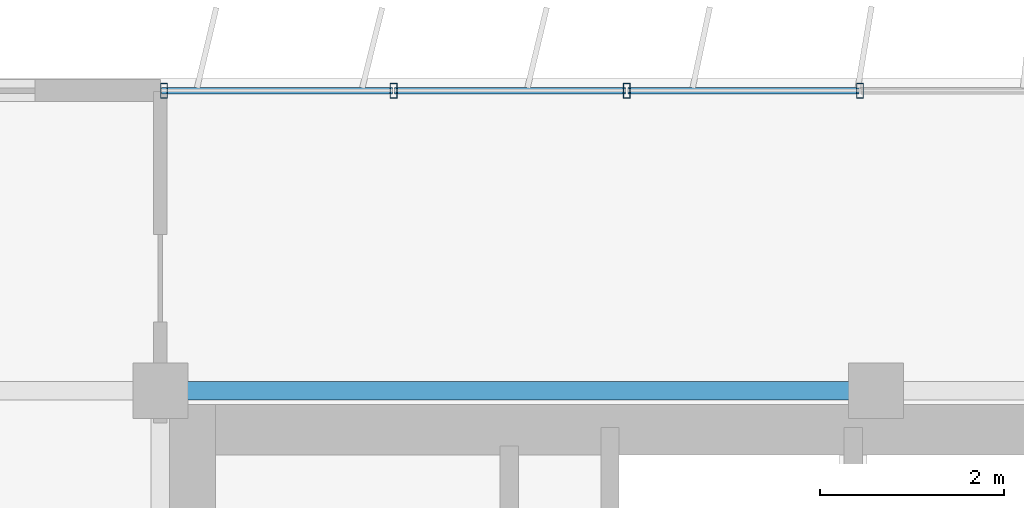
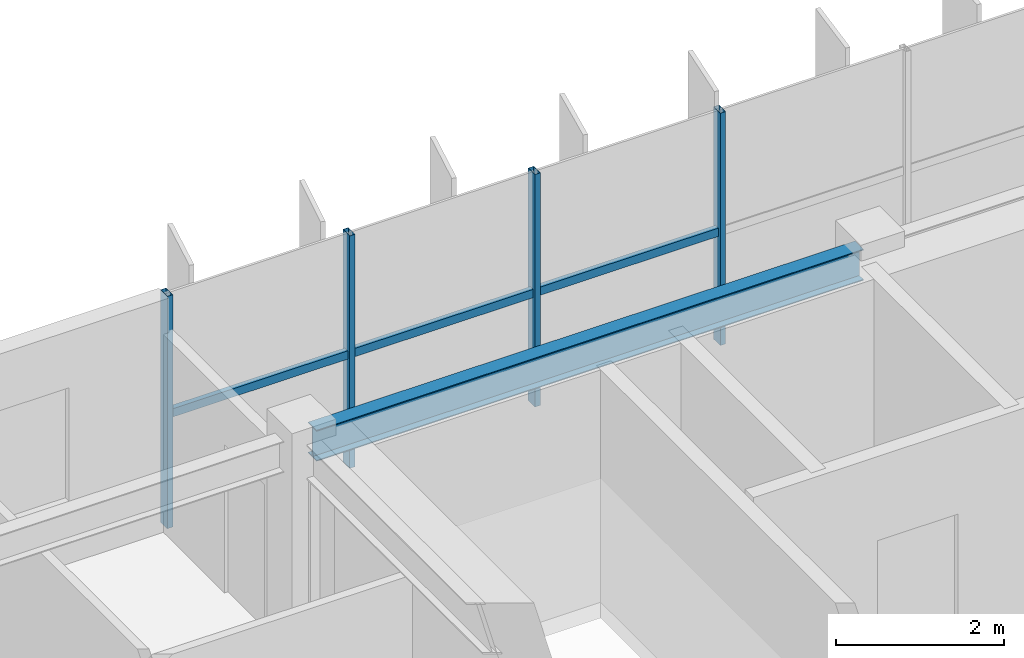
# One storey, part 6 of 23: 7 members, 1 beam, 1 element without a shape of its own.
"""IFC4 building model written with IfcOpenShell, lengths in metres."""

from ifc_helpers import new_model, si_unit, direction, frame, origin, origin_2d, place, context, subcontext, project, spatial, hollow_rectangle, i_section, extrude, source, transform, mapped, material, material_profile, profile_set, type_object, element, aggregate, save


model = new_model("IFC4")

# Units and contexts
model_context = context("Model", 3, precision=1e-05, world=origin(), true_north=direction((0.0, 1.0)))
body_context = subcontext(model_context, "Body", "Model", "MODEL_VIEW")
ifc_project = project(units=[si_unit("LENGTHUNIT", "METRE"), si_unit("AREAUNIT", "SQUARE_METRE"), si_unit("VOLUMEUNIT", "CUBIC_METRE"), si_unit("PLANEANGLEUNIT", "RADIAN"), si_unit("MASSUNIT", "GRAM", prefix="KILO")], contexts=[model_context])

# Site, building, storey
site_placement = place(None, origin())
site = spatial("IfcSite", under=ifc_project, at=site_placement, CompositionType="ELEMENT")
building_placement = place(site_placement, origin())
building = spatial("IfcBuilding", under=site, at=building_placement, Name="Trelvane Seafront Commons", CompositionType="ELEMENT")
storey_placement = place(building_placement, frame((0.0, 0.0, 263.10009765625)))
storey = spatial("IfcBuildingStorey", under=building, at=storey_placement, Name="L68", CompositionType="ELEMENT", Elevation=263.10009765625)

# Beam
ifc_material_1 = material(Name="Steel SM355 (S355)", Category="steel")
ifc_material_profile_1 = material_profile(ifc_material_1, i_section(OverallWidth=0.199951171875, OverallDepth=0.449951171875, WebThickness=0.009033203125, FlangeThickness=0.013916015625, at=origin_2d()), Name="H-450x200x9x14")
ifc_profile_set_1 = profile_set([ifc_material_profile_1], Name="Steel SM355 (S355)")
beam_type = type_object("IfcBeamType", Name="STR-SPD-H450", PredefinedType="SPANDREL", material=ifc_profile_set_1)
shared_shape_1 = source(origin(), body_context, "Body", "SweptSolid", [
    extrude(i_section(OverallWidth=0.199951171875, OverallDepth=0.449951171875, WebThickness=0.009033203125, FlangeThickness=0.013916015625, at=origin_2d()), origin(), (0.0, 0.0, 1.0), 7.5),
])
beam_placement = place(storey_placement, frame((15.75, 45.10009765625, 3.14501953125), z_axis=(1.0, 0.0, 0.0), x_axis=(0.0, 1.0, 0.0)))
element("IfcBeam", 1, at=beam_placement, inside=storey, type_object=beam_type, Name="L68 Primary Girder G-23", PredefinedType="SPANDREL", context=body_context, shape_type="MappedRepresentation", body=[
    mapped(shared_shape_1, transform((0.0, 0.0, 0.0), x_axis=(1.0, 0.0, 0.0), y_axis=(0.0, 1.0, 0.0), z_axis=(0.0, 0.0, 1.0), scale=1.0)),
])

# Curtain wall, members
ifc_material_2 = material(Name="Anodised pale-silver aluminium", Category="aluminium")
curtain_wall_type = type_object("IfcCurtainWallType", Name="ARCH-CW5-UPTOWER", PredefinedType="NOTDEFINED", material=ifc_material_2)
curtain_wall_placement = place(storey_placement, origin())
curtain_wall = element("IfcCurtainWall", 2, at=curtain_wall_placement, inside=storey, type_object=curtain_wall_type, Name="CW-L68-0112", PredefinedType="NOTDEFINED")
ifc_material_profile_2 = material_profile(ifc_material_2, hollow_rectangle(XDim=0.070068359375, YDim=0.1201171875, WallThickness=0.00390625, at=origin_2d()), Name="TRAN-70x120x4")
ifc_profile_set_2 = profile_set([ifc_material_profile_2], Name="Anodised pale-silver aluminium")
member_type_1 = type_object("IfcMemberType", Name="ARCH-CW-TRAN-120", PredefinedType="USERDEFINED", material=ifc_profile_set_2)
shared_shape_2 = source(origin(), body_context, "Body", "SweptSolid", [
    extrude(hollow_rectangle(XDim=0.070068359375, YDim=0.1201171875, WallThickness=0.00390625, at=origin_2d()), origin(), (0.0, 0.0, 1.0), 2.51708984375),
])
member_1_placement = place(storey_placement, frame((15.612060546875, 48.3701171875, 1.617919921875), z_axis=(1.0, 0.0, 0.0), x_axis=(0.0, 1.0, 0.0)))
member_1 = element("IfcMember", 3, at=member_1_placement, type_object=member_type_1, Name="CW-L68-0112-T00", ObjectType="TRANSOM", PredefinedType="USERDEFINED", context=body_context, shape_type="MappedRepresentation", body=[
    mapped(shared_shape_2, transform((0.0, 0.0, 0.0), x_axis=(1.0, 0.0, 0.0), y_axis=(0.0, 1.0, 0.0), z_axis=(0.0, 0.0, 1.0), scale=1.0)),
])
member_2_placement = place(storey_placement, frame((18.1533203125, 48.3701171875, 1.617919921875), z_axis=(1.0, 0.0, 0.0), x_axis=(0.0, 1.0, 0.0)))
member_2 = element("IfcMember", 4, at=member_2_placement, type_object=member_type_1, Name="CW-L68-0112-T01", ObjectType="TRANSOM", PredefinedType="USERDEFINED", context=body_context, shape_type="MappedRepresentation", body=[
    mapped(shared_shape_2, transform((0.0, 0.0, 0.0), x_axis=(1.0, 0.0, 0.0), y_axis=(0.0, 1.0, 0.0), z_axis=(0.0, 0.0, 1.0), scale=1.0)),
])
member_3_placement = place(storey_placement, frame((20.6943359375, 48.3701171875, 1.617919921875), z_axis=(1.0, 0.0, 0.0), x_axis=(0.0, 1.0, 0.0)))
member_3 = element("IfcMember", 5, at=member_3_placement, type_object=member_type_1, Name="CW-L68-0112-T02", ObjectType="TRANSOM", PredefinedType="USERDEFINED", context=body_context, shape_type="MappedRepresentation", body=[
    mapped(shared_shape_2, transform((0.0, 0.0, 0.0), x_axis=(1.0, 0.0, 0.0), y_axis=(0.0, 1.0, 0.0), z_axis=(0.0, 0.0, 1.0), scale=1.0)),
])
ifc_material_profile_3 = material_profile(ifc_material_2, hollow_rectangle(XDim=0.074951171875, YDim=0.159912109375, WallThickness=0.00390625, at=origin_2d()), Name="MULL-75x160x4")
ifc_profile_set_3 = profile_set([ifc_material_profile_3], Name="Anodised pale-silver aluminium")
member_type_2 = type_object("IfcMemberType", Name="ARCH-CW-MULL-160", PredefinedType="MULLION", material=ifc_profile_set_3)
shared_shape_3 = source(origin(), body_context, "Body", "SweptSolid", [
    extrude(hollow_rectangle(XDim=0.074951171875, YDim=0.159912109375, WallThickness=0.00390625, at=origin_2d()), origin(), (0.0, 0.0, 1.0), 3.369873046875),
])
member_4_placement = place(storey_placement, frame((15.639892578125, 48.3701171875, 0.0), z_axis=(0.0, 0.0, 1.0), x_axis=(1.0, 0.0, 0.0)))
member_4 = element("IfcMember", 6, at=member_4_placement, type_object=member_type_2, Name="CW-L68-0112-M00", PredefinedType="MULLION", context=body_context, shape_type="MappedRepresentation", body=[
    mapped(shared_shape_3, transform((0.0, 0.0, 0.0), x_axis=(1.0, 0.0, 0.0), y_axis=(0.0, 1.0, 0.0), z_axis=(0.0, 0.0, 1.0), scale=1.0)),
])
member_5_placement = place(storey_placement, frame((18.14111328125, 48.3701171875, 0.0), z_axis=(0.0, 0.0, 1.0), x_axis=(1.0, 0.0, 0.0)))
member_5 = element("IfcMember", 7, at=member_5_placement, type_object=member_type_2, Name="CW-L68-0112-M01", PredefinedType="MULLION", context=body_context, shape_type="MappedRepresentation", body=[
    mapped(shared_shape_3, transform((0.0, 0.0, 0.0), x_axis=(1.0, 0.0, 0.0), y_axis=(0.0, 1.0, 0.0), z_axis=(0.0, 0.0, 1.0), scale=1.0)),
])
member_6_placement = place(storey_placement, frame((20.682373046875, 48.3701171875, 0.0), z_axis=(0.0, 0.0, 1.0), x_axis=(1.0, 0.0, 0.0)))
member_6 = element("IfcMember", 8, at=member_6_placement, type_object=member_type_2, Name="CW-L68-0112-M02", PredefinedType="MULLION", context=body_context, shape_type="MappedRepresentation", body=[
    mapped(shared_shape_3, transform((0.0, 0.0, 0.0), x_axis=(1.0, 0.0, 0.0), y_axis=(0.0, 1.0, 0.0), z_axis=(0.0, 0.0, 1.0), scale=1.0)),
])
member_7_placement = place(storey_placement, frame((23.223388671875, 48.3701171875, 0.0), z_axis=(0.0, 0.0, 1.0), x_axis=(1.0, 0.0, 0.0)))
member_7 = element("IfcMember", 9, at=member_7_placement, type_object=member_type_2, Name="CW-L68-0112-M03", PredefinedType="MULLION", context=body_context, shape_type="MappedRepresentation", body=[
    mapped(shared_shape_3, transform((0.0, 0.0, 0.0), x_axis=(1.0, 0.0, 0.0), y_axis=(0.0, 1.0, 0.0), z_axis=(0.0, 0.0, 1.0), scale=1.0)),
])
aggregate(curtain_wall, [member_4, member_5, member_6, member_7, member_1, member_2, member_3])

save(model, "model.ifc")
